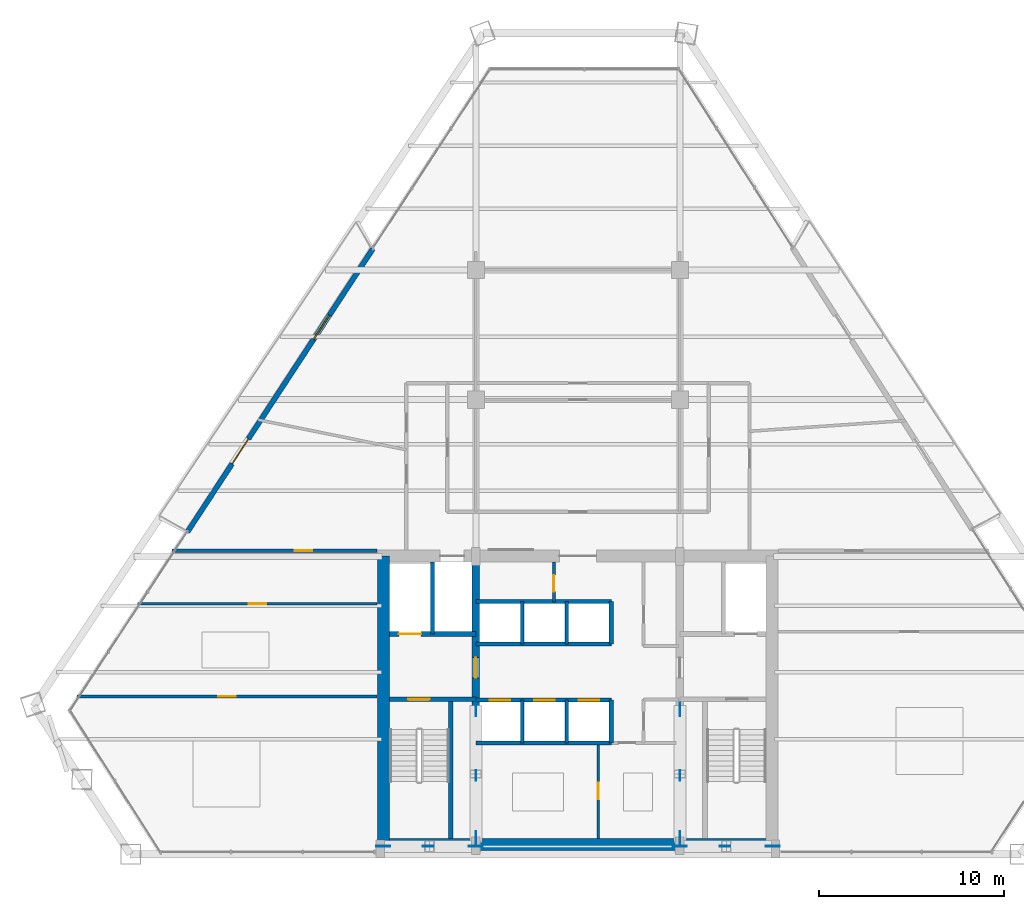
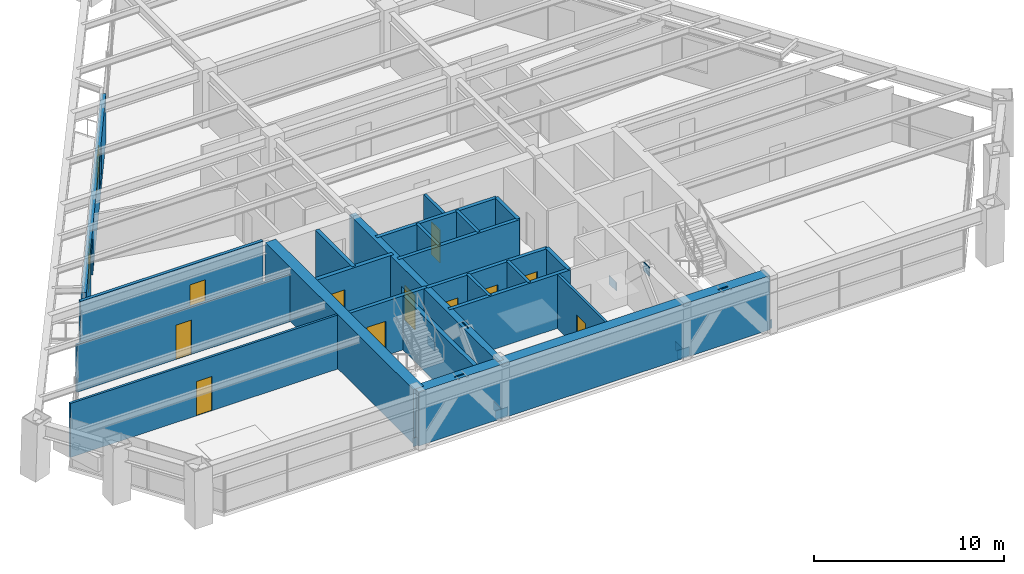
# One storey, part 10 of 14: 23 walls, 12 doors, 12 plates, 1 window, 13 openings.
"""IFC4 building model written with IfcOpenShell, lengths in metres."""

from ifc_helpers import new_model, si_unit, direction, frame, frame_2d, origin, origin_2d, place, context, subcontext, project, spatial, rectangle, extrude, source, transform, mapped, material, layer, layer_set, type_object, type_shapes, element, fill, save


model = new_model("IFC4")

# Units and contexts
model_context = context("Model", 3, precision=1e-05, world=origin(), true_north=direction((0.0, 1.0)))
body_context = subcontext(model_context, "Body", "Model", "MODEL_VIEW")
ifc_project = project(units=[si_unit("LENGTHUNIT", "METRE"), si_unit("AREAUNIT", "SQUARE_METRE"), si_unit("VOLUMEUNIT", "CUBIC_METRE"), si_unit("PLANEANGLEUNIT", "RADIAN"), si_unit("MASSUNIT", "GRAM", prefix="KILO")], contexts=[model_context])

# Site, building, storey
site_placement = place(None, origin())
site = spatial("IfcSite", under=ifc_project, at=site_placement, CompositionType="ELEMENT")
building_placement = place(site_placement, origin())
building = spatial("IfcBuilding", under=site, at=building_placement, Name="Varnakhor Terracotta Tower", CompositionType="ELEMENT")
storey_placement = place(building_placement, frame((0.0, 0.0, 133.0)))
storey = spatial("IfcBuildingStorey", under=building, at=storey_placement, Name="L33", CompositionType="ELEMENT", Elevation=133.0)

# Plates
ifc_material_1 = material(Name="Steel S460", Category="steel")
ifc_layer_1 = layer(ifc_material_1, 0.050048828125, Name="Steel S460")
ifc_layer_set_1 = layer_set([ifc_layer_1], Name="Steel S460")
plate_type = type_object("IfcPlateType", Name="PLT-GUSSET-50", PredefinedType="USERDEFINED", material=ifc_layer_set_1)
shared_shape_1 = source(origin(), body_context, "Body", "SweptSolid", [
    extrude(rectangle(XDim=0.75, YDim=0.0400390625, at=origin_2d()), origin(), (0.0, 0.0, 1.0), 0.550048828125),
])
type_shapes(plate_type, [shared_shape_1])
for number, where, z_axis, x_axis, name in (
    (1, (-10.5, 0.419921875, -0.09521484375), (0.0, 0.0, 1.0), (1.0, 0.0, 0.0), "L33 Core Brace Embed Plate CSWA"),
    (2, (-5.5, 0.419921875, -0.09521484375), (0.0, 0.0, 1.0), (1.0, 0.0, 0.0), "L33 Core Brace Embed Plate CSWB"),
    (3, (5.5, 0.419921875, -0.09521484375), (0.0, 0.0, 1.0), (1.0, 0.0, 0.0), "L33 Core Brace Embed Plate CSEA"),
    (4, (10.5, 0.419921875, -0.09521484375), (0.0, 0.0, 1.0), (1.0, 0.0, 0.0), "L33 Core Brace Embed Plate CSEB"),
    (5, (-5.5, 0.85009765625, -0.09521484375), (0.0, 0.0, 1.0), (0.0, 1.0, 0.0), "L33 Core Brace Embed Plate CWWA"),
    (6, (-5.5, 7.800048828125, -0.09521484375), (0.0, 0.0, 1.0), (0.0, 1.0, 0.0), "L33 Core Brace Embed Plate CWWB"),
    (7, (5.5, 0.85009765625, -0.09521484375), (0.0, 0.0, 1.0), (0.0, 1.0, 0.0), "L33 Core Brace Embed Plate CWEA"),
    (8, (5.5, 7.800048828125, -0.09521484375), (0.0, 0.0, 1.0), (0.0, 1.0, 0.0), "L33 Core Brace Embed Plate CWEB"),
):
    element("IfcPlate", number, at=place(storey_placement, frame(where, z_axis=z_axis, x_axis=x_axis)), inside=storey, type_object=plate_type, Name=name, ObjectType="GUSSET PLATE", PredefinedType="USERDEFINED", context=body_context, shape_type="MappedRepresentation", body=[
        mapped(shared_shape_1, transform((0.0, 0.0, 0.0), scale=1.0)),
    ])
shared_shape_2 = source(origin(), body_context, "Body", "SweptSolid", [
    extrude(rectangle(XDim=0.580078125, YDim=0.0400390625, at=origin_2d()), origin(), (0.0, 0.0, 1.0), 0.580078125),
])
for number, where, z_axis, x_axis, name in (
    (9, (-8.072265625, 0.419921875, 2.93408203125), (0.0, 0.0, 1.0), (1.0, 0.0, 0.0), "L33 Brace End Connection Plate 116"),
    (10, (7.927734375, 0.419921875, 2.93408203125), (0.0, 0.0, 1.0), (1.0, 0.0, 0.0), "L33 Brace End Connection Plate 117"),
    (11, (-5.5, 4.23828125, 2.947021484375), (0.0, 0.0, 1.0), (0.0, 1.0, 0.0), "L33 Brace End Connection Plate 118"),
    (12, (5.5, 4.23828125, 2.947021484375), (0.0, 0.0, 1.0), (0.0, 1.0, 0.0), "L33 Brace End Connection Plate 119"),
):
    element("IfcPlate", number, at=place(storey_placement, frame(where, z_axis=z_axis, x_axis=x_axis)), inside=storey, type_object=plate_type, Name=name, ObjectType="GUSSET PLATE", PredefinedType="USERDEFINED", context=body_context, shape_type="MappedRepresentation", body=[
        mapped(shared_shape_2, transform((0.0, 0.0, 0.0), scale=1.0)),
    ])

# Walls
ifc_material_2 = material(Name="Concrete C50/60", Category="concrete")
ifc_layer_2 = layer(ifc_material_2, 0.64990234375, Name="Concrete C50/60")
ifc_layer_set_2 = layer_set([ifc_layer_2], Name="Concrete C50/60")
wall_type_1 = type_object("IfcWallType", Name="WAL-CORE-650", PredefinedType="SHEAR", material=ifc_layer_set_2)
wall_1_placement = place(storey_placement, frame((-10.64990234375, 0.52490234375, 0.0), z_axis=(0.0, 0.0, 1.0), x_axis=(1.0, 0.0, 0.0)))
element("IfcWall", 13, at=wall_1_placement, inside=storey, type_object=wall_type_1, Name="L33 South Core Shear Wall", PredefinedType="SHEAR", context=body_context, shape_type="SweptSolid", body=[
    extrude(rectangle(XDim=21.2998046875, YDim=0.64990234375, at=frame_2d((10.64990234375, 0.0))), origin(), (0.0, 0.0, 1.0), 3.469970703125),
])
wall_2_placement = place(storey_placement, frame((-10.47509765625, 0.52490234375, 0.0), z_axis=(0.0, 0.0, 1.0), x_axis=(0.0, 1.0, 0.0)))
element("IfcWall", 14, at=wall_2_placement, inside=storey, type_object=wall_type_1, Name="L33 West Core Shear Wall", PredefinedType="SHEAR", context=body_context, shape_type="SweptSolid", body=[
    extrude(rectangle(XDim=15.550048828125, YDim=0.64990234375, at=frame_2d((7.77490234375, 0.0))), origin(), (0.0, 0.0, 1.0), 3.469970703125),
])

# Wall, opening, door
ifc_layer_3 = layer(ifc_material_2, 0.39990234375, Name="Concrete C50/60")
ifc_layer_set_3 = layer_set([ifc_layer_3], Name="Concrete C50/60")
wall_type_2 = type_object("IfcWallType", Name="WAL-CORE-WEB-400", PredefinedType="SHEAR", material=ifc_layer_set_3)
wall_3_placement = place(storey_placement, frame((-5.5, 0.52490234375, 0.0), z_axis=(0.0, 0.0, 1.0), x_axis=(0.0, 1.0, 0.0)))
wall_3 = element("IfcWall", 15, at=wall_3_placement, inside=storey, type_object=wall_type_2, Name="L33 West Core Web Shear Wall", PredefinedType="SHEAR", context=body_context, shape_type="SweptSolid", body=[
    extrude(rectangle(XDim=15.550048828125, YDim=0.39990234375, at=frame_2d((7.77490234375, 0.0))), origin(), (0.0, 0.0, 1.0), 3.469970703125),
])
opening_1_placement = place(wall_3_placement, frame((8.97509765625, 0.0, 0.0)))
opening_1 = element("IfcOpeningElement", 16, at=opening_1_placement, cuts=wall_3, Name="Opening DR-25", PredefinedType="OPENING", context=body_context, shape_type="SweptSolid", body=[
    extrude(rectangle(XDim=1.10009765625, YDim=2.199951171875, at=frame_2d((0.550048828125, 1.10009765625))), frame((0.0, 0.2099609375, 0.0), z_axis=(0.0, -1.0, 0.0), x_axis=(1.0, 0.0, 0.0)), (0.0, 0.0, 1.0), 0.419921875),
])
ifc_material_3 = material(Name="Firefighting Lobby Self-Closing Fire Door", Category="steel")
door_type_1 = type_object("IfcDoorType", Name="DR-FFL-1100X2200", OperationType="NOTDEFINED", PredefinedType="DOOR", material=ifc_material_3)
shared_shape_3 = source(origin(), body_context, "Body", "SweptSolid", [
    extrude(rectangle(XDim=1.10009765625, YDim=2.199951171875, at=frame_2d((0.550048828125, 1.10009765625))), frame((0.0, 0.02490234375, 0.0), z_axis=(0.0, -1.0, 0.0), x_axis=(1.0, 0.0, 0.0)), (0.0, 0.0, 1.0), 0.050048828125),
])
type_shapes(door_type_1, [shared_shape_3])
door_1_placement = place(opening_1_placement, origin())
door_1 = element("IfcDoor", 17, at=door_1_placement, inside=storey, type_object=door_type_1, Name="L33 West Firefighting Lobby Door", OperationType="SINGLE_SWING_LEFT", OverallHeight=2.199951171875, OverallWidth=1.10009765625, PredefinedType="DOOR", context=body_context, shape_type="MappedRepresentation", body=[
    mapped(shared_shape_3, transform((0.0, 0.0, 0.0), scale=1.0)),
])
fill(opening_1, door_1)

ifc_material_4 = material(Name="Fire-Rated Gypsum Stud Partition", Category="gypsum")
ifc_layer_4 = layer(ifc_material_4, 0.18505859375, Name="Fire-Rated Gypsum Stud Partition")
ifc_layer_set_4 = layer_set([ifc_layer_4], Name="Fire-Rated Gypsum Stud Partition")
wall_type_3 = type_object("IfcWallType", Name="WAL-CORR-185", PredefinedType="PARTITIONING", material=ifc_layer_set_4)
wall_4_placement = place(storey_placement, frame((-21.876708984375, 16.35009765625, 0.0), z_axis=(0.0, 0.0, 1.0), x_axis=(1.0, 0.0, 0.0)))
wall_4 = element("IfcWall", 18, at=wall_4_placement, inside=storey, type_object=wall_type_3, Name="L33 South West Entry Wall", PredefinedType="PARTITIONING", context=body_context, shape_type="SweptSolid", body=[
    extrude(rectangle(XDim=11.056640625, YDim=0.18505859375, at=frame_2d((5.5283203125, 0.0))), origin(), (0.0, 0.0, 1.0), 3.4619140625),
])
opening_2_placement = place(wall_4_placement, frame((6.60986328125, 0.0, 0.0)))
opening_2 = element("IfcOpeningElement", 19, at=opening_2_placement, cuts=wall_4, Name="Opening DR-94", PredefinedType="OPENING", context=body_context, shape_type="SweptSolid", body=[
    extrude(rectangle(XDim=0.949951171875, YDim=2.199951171875, at=frame_2d((0.47509765625, 1.10009765625))), frame((0.0, 0.1025390625, 0.0), z_axis=(0.0, -1.0, 0.0), x_axis=(1.0, 0.0, 0.0)), (0.0, 0.0, 1.0), 0.205078125),
])
ifc_material_5 = material(Name="Acoustic Glazed-Vision Timber Office Door", Category="wood")
door_type_2 = type_object("IfcDoorType", Name="DR-OFF-950X2200", OperationType="NOTDEFINED", PredefinedType="DOOR", material=ifc_material_5)
shared_shape_4 = source(origin(), body_context, "Body", "SweptSolid", [
    extrude(rectangle(XDim=0.949951171875, YDim=2.199951171875, at=frame_2d((0.47509765625, 1.10009765625))), frame((0.0, 0.02490234375, 0.0), z_axis=(0.0, -1.0, 0.0), x_axis=(1.0, 0.0, 0.0)), (0.0, 0.0, 1.0), 0.050048828125),
])
type_shapes(door_type_2, [shared_shape_4])
door_2_placement = place(opening_2_placement, origin())
door_2 = element("IfcDoor", 20, at=door_2_placement, inside=storey, type_object=door_type_2, Name="L33 SW Suite Door", OperationType="SINGLE_SWING_RIGHT", OverallHeight=2.199951171875, OverallWidth=0.949951171875, PredefinedType="DOOR", context=body_context, shape_type="MappedRepresentation", body=[
    mapped(shared_shape_4, transform((0.0, 0.0, 0.0), scale=1.0)),
])
fill(opening_2, door_2)

# Wall, openings, door, window
ifc_material_6 = material(Name="Extruded Architectural Terracotta Assembly", Category="masonry")
ifc_layer_5 = layer(ifc_material_6, 0.280029296875, Name="Extruded Architectural Terracotta Assembly")
ifc_layer_set_5 = layer_set([ifc_layer_5], Name="Extruded Architectural Terracotta Assembly")
wall_type_4 = type_object("IfcWallType", Name="WAL-EXT-TERRACOTTA-280", PredefinedType="SOLIDWALL", material=ifc_layer_set_5)
wall_5_placement = place(storey_placement, frame((-21.042724609375, 17.385986328125, 0.0), z_axis=(0.0, 0.0, 1.0), x_axis=(0.547958773701, 0.836505339089, 0.0)))
wall_5 = element("IfcWall", 21, at=wall_5_placement, inside=storey, type_object=wall_type_4, Name="L33 W Loggia Insulated Terracotta Wall", PredefinedType="SOLIDWALL", context=body_context, shape_type="SweptSolid", body=[
    extrude(rectangle(XDim=18.242919921875, YDim=0.280029296875, at=frame_2d((9.12158203125, 0.0))), origin(), (0.0, 0.0, 1.0), 3.050048828125),
])
opening_3_placement = place(wall_5_placement, frame((4.37841796875, 0.0, 0.0)))
opening_3 = element("IfcOpeningElement", 22, at=opening_3_placement, cuts=wall_5, Name="Opening DR-62", PredefinedType="OPENING", context=body_context, shape_type="SweptSolid", body=[
    extrude(rectangle(XDim=1.60009765625, YDim=2.35009765625, at=frame_2d((0.800048828125, 1.175048828125))), frame((0.0, 0.14990234375, 0.0), z_axis=(0.0, -1.0, 0.0), x_axis=(1.0, 0.0, 0.0)), (0.0, 0.0, 1.0), 0.300048828125),
])
opening_4_placement = place(wall_5_placement, frame((12.4052734375, 0.0, 0.89990234375)))
opening_4 = element("IfcOpeningElement", 23, at=opening_4_placement, cuts=wall_5, Name="Opening WN-57", PredefinedType="OPENING", context=body_context, shape_type="SweptSolid", body=[
    extrude(rectangle(XDim=1.550048828125, YDim=1.85009765625, at=frame_2d((0.77490234375, 0.925048828125))), frame((0.0, 0.14990234375, 0.0), z_axis=(0.0, -1.0, 0.0), x_axis=(1.0, 0.0, 0.0)), (0.0, 0.0, 1.0), 0.300048828125),
])
ifc_material_7 = material(Name="Thermally Broken Sliding Glass Loggia Door", Category="glass")
door_type_3 = type_object("IfcDoorType", Name="DR-EXT-LOGGIA-1600X2350", OperationType="NOTDEFINED", PredefinedType="DOOR", material=ifc_material_7)
shared_shape_5 = source(origin(), body_context, "Body", "SweptSolid", [
    extrude(rectangle(XDim=1.60009765625, YDim=2.35009765625, at=frame_2d((0.800048828125, 1.175048828125))), frame((0.0, 0.02490234375, 0.0), z_axis=(0.0, -1.0, 0.0), x_axis=(1.0, 0.0, 0.0)), (0.0, 0.0, 1.0), 0.050048828125),
])
type_shapes(door_type_3, [shared_shape_5])
door_3_placement = place(opening_3_placement, origin())
door_3 = element("IfcDoor", 24, at=door_3_placement, inside=storey, type_object=door_type_3, Name="L33 W Recessed Loggia Sliding Door", OperationType="SLIDING_TO_LEFT", OverallHeight=2.35009765625, OverallWidth=1.60009765625, PredefinedType="DOOR", context=body_context, shape_type="MappedRepresentation", body=[
    mapped(shared_shape_5, transform((0.0, 0.0, 0.0), scale=1.0)),
])
fill(opening_3, door_3)
ifc_material_8 = material(Name="Solar-Control Low-E Insulated Glass Unit", Category="glass")
window_type = type_object("IfcWindowType", Name="WIN-OFF-1650X2100", PartitioningType="SINGLE_PANEL", PredefinedType="WINDOW", material=ifc_material_8)
shared_shape_6 = source(origin(), body_context, "Body", "SweptSolid", [
    extrude(rectangle(XDim=1.550048828125, YDim=1.85009765625, at=frame_2d((0.77490234375, 0.925048828125))), frame((0.0, 0.030029296875, 0.0), z_axis=(0.0, -1.0, 0.0), x_axis=(1.0, 0.0, 0.0)), (0.0, 0.0, 1.0), 0.06005859375),
])
type_shapes(window_type, [shared_shape_6])
window_placement = place(opening_4_placement, origin())
window = element("IfcWindow", 25, at=window_placement, inside=storey, type_object=window_type, Name="L33 W Facet Punched Window", OverallHeight=1.85009765625, OverallWidth=1.550048828125, PartitioningType="SINGLE_PANEL", PredefinedType="WINDOW", context=body_context, shape_type="MappedRepresentation", body=[
    mapped(shared_shape_6, transform((0.0, 0.0, 0.0), scale=1.0)),
])
fill(opening_4, window)

# Wall, opening, door
ifc_material_9 = material(Name="Concrete C40/50", Category="concrete")
ifc_layer_6 = layer(ifc_material_9, 0.219970703125, Name="Concrete C40/50")
ifc_layer_set_6 = layer_set([ifc_layer_6], Name="Concrete C40/50")
wall_type_5 = type_object("IfcWallType", Name="WAL-FFLOBBY-220", PredefinedType="SOLIDWALL", material=ifc_layer_set_6)
wall_6_placement = place(storey_placement, frame((-5.5, 8.35009765625, 0.0), z_axis=(0.0, 0.0, 1.0), x_axis=(-1.0, 0.0, 0.0)))
wall_6 = element("IfcWall", 26, at=wall_6_placement, inside=storey, type_object=wall_type_5, Name="L33 West Firefighting Lobby Stair Wall", PredefinedType="SOLIDWALL", context=body_context, shape_type="SweptSolid", body=[
    extrude(rectangle(XDim=4.64990234375, YDim=0.219970703125, at=frame_2d((2.324951171875, 0.0))), origin(), (0.0, 0.0, 1.0), 3.469970703125),
])
opening_5_placement = place(wall_6_placement, frame((2.5, 0.0, 0.0)))
opening_5 = element("IfcOpeningElement", 27, at=opening_5_placement, cuts=wall_6, Name="Opening DR-34", PredefinedType="OPENING", context=body_context, shape_type="SweptSolid", body=[
    extrude(rectangle(XDim=1.14990234375, YDim=2.199951171875, at=frame_2d((0.574951171875, 1.10009765625))), frame((0.0, 0.1201171875, 0.0), z_axis=(0.0, -1.0, 0.0), x_axis=(1.0, 0.0, 0.0)), (0.0, 0.0, 1.0), 0.239990234375),
])
ifc_material_10 = material(Name="Self-Closing Smoke-Sealed Steel Fire Door", Category="steel")
door_type_4 = type_object("IfcDoorType", Name="DR-STAIR-1150X2200", OperationType="NOTDEFINED", PredefinedType="DOOR", material=ifc_material_10)
shared_shape_7 = source(origin(), body_context, "Body", "SweptSolid", [
    extrude(rectangle(XDim=1.14990234375, YDim=2.199951171875, at=frame_2d((0.574951171875, 1.10009765625))), frame((0.0, 0.02490234375, 0.0), z_axis=(0.0, -1.0, 0.0), x_axis=(1.0, 0.0, 0.0)), (0.0, 0.0, 1.0), 0.050048828125),
])
type_shapes(door_type_4, [shared_shape_7])
door_4_placement = place(opening_5_placement, origin())
door_4 = element("IfcDoor", 28, at=door_4_placement, inside=storey, type_object=door_type_4, Name="L33 Exit Stair ST-1 Fire Door", OperationType="SINGLE_SWING_RIGHT", OverallHeight=2.199951171875, OverallWidth=1.14990234375, PredefinedType="DOOR", context=body_context, shape_type="MappedRepresentation", body=[
    mapped(shared_shape_7, transform((0.0, 0.0, 0.0), scale=1.0)),
])
fill(opening_5, door_4)

ifc_material_11 = material(Name="Acoustic Metal-Stud Partition", Category="gypsum")
ifc_layer_7 = layer(ifc_material_11, 0.139892578125, Name="Acoustic Metal-Stud Partition")
ifc_layer_set_7 = layer_set([ifc_layer_7], Name="Acoustic Metal-Stud Partition")
wall_type_6 = type_object("IfcWallType", Name="WAL-PART-140", PredefinedType="PARTITIONING", material=ifc_layer_set_7)
wall_7_placement = place(storey_placement, frame((-27.01904296875, 8.5, 0.0), z_axis=(0.0, 0.0, 1.0), x_axis=(1.0, 0.0, 0.0)))
wall_7 = element("IfcWall", 29, at=wall_7_placement, inside=storey, type_object=wall_type_6, Name="L33 West Wing Cut 1", PredefinedType="PARTITIONING", context=body_context, shape_type="SweptSolid", body=[
    extrude(rectangle(XDim=16.198974609375, YDim=0.139892578125, at=frame_2d((8.099609375, 0.0))), origin(), (0.0, 0.0, 1.0), 3.4619140625),
])
opening_6_placement = place(wall_7_placement, frame((7.634521484375, 0.0, 0.0)))
opening_6 = element("IfcOpeningElement", 30, at=opening_6_placement, cuts=wall_7, Name="Opening DR-94", PredefinedType="OPENING", context=body_context, shape_type="SweptSolid", body=[
    extrude(rectangle(XDim=0.949951171875, YDim=2.199951171875, at=frame_2d((0.47509765625, 1.10009765625))), frame((0.0, 0.080078125, 0.0), z_axis=(0.0, -1.0, 0.0), x_axis=(1.0, 0.0, 0.0)), (0.0, 0.0, 1.0), 0.159912109375),
])
door_5_placement = place(opening_6_placement, origin())
door_5 = element("IfcDoor", 31, at=door_5_placement, inside=storey, type_object=door_type_2, Name="L33 Admin Office 5 Door", OperationType="SINGLE_SWING_RIGHT", OverallHeight=2.199951171875, OverallWidth=0.949951171875, PredefinedType="DOOR", context=body_context, shape_type="MappedRepresentation", body=[
    mapped(shared_shape_4, transform((0.0, 0.0, 0.0), scale=1.0)),
])
fill(opening_6, door_5)

wall_8_placement = place(storey_placement, frame((-23.74365234375, 13.5, 0.0), z_axis=(0.0, 0.0, 1.0), x_axis=(1.0, 0.0, 0.0)))
wall_8 = element("IfcWall", 32, at=wall_8_placement, inside=storey, type_object=wall_type_6, Name="L33 West Wing Cut 2", PredefinedType="PARTITIONING", context=body_context, shape_type="SweptSolid", body=[
    extrude(rectangle(XDim=12.923583984375, YDim=0.139892578125, at=frame_2d((6.4619140625, 0.0))), origin(), (0.0, 0.0, 1.0), 3.049072265625),
])
opening_7_placement = place(wall_8_placement, frame((5.99658203125, 0.0, 0.0)))
opening_7 = element("IfcOpeningElement", 33, at=opening_7_placement, cuts=wall_8, Name="Opening DR-94", PredefinedType="OPENING", context=body_context, shape_type="SweptSolid", body=[
    extrude(rectangle(XDim=0.949951171875, YDim=2.199951171875, at=frame_2d((0.47509765625, 1.10009765625))), frame((0.0, 0.080078125, 0.0), z_axis=(0.0, -1.0, 0.0), x_axis=(1.0, 0.0, 0.0)), (0.0, 0.0, 1.0), 0.159912109375),
])
door_6_placement = place(opening_7_placement, origin())
door_6 = element("IfcDoor", 34, at=door_6_placement, inside=storey, type_object=door_type_2, Name="L33 Corporate Office E2 B3 Door", OperationType="SINGLE_SWING_LEFT", OverallHeight=2.199951171875, OverallWidth=0.949951171875, PredefinedType="DOOR", context=body_context, shape_type="MappedRepresentation", body=[
    mapped(shared_shape_4, transform((0.0, 0.0, 0.0), scale=1.0)),
])
fill(opening_7, door_6)

# Walls
ifc_layer_8 = layer(ifc_material_9, 0.179931640625, Name="Concrete C40/50")
ifc_layer_set_8 = layer_set([ifc_layer_8], Name="Concrete C40/50")
wall_type_7 = type_object("IfcWallType", Name="WAL-SHAFT-180", PredefinedType="SOLIDWALL", material=ifc_layer_set_8)
for number, where, z_axis, x_axis, name in (
    (35, (-3.0, 6.0, 0.0), (0.0, 0.0, 1.0), (0.0, 1.0, 0.0), "L33 PL-2A Divider"),
    (36, (-0.60009765625, 6.0, 0.0), (0.0, 0.0, 1.0), (0.0, 1.0, 0.0), "L33 PL-2B Divider"),
    (37, (-3.0, 11.320068359375, 0.0), (0.0, 0.0, 1.0), (0.0, 1.0, 0.0), "L33 PL-3A Divider"),
    (38, (-0.60009765625, 11.320068359375, 0.0), (0.0, 0.0, 1.0), (0.0, 1.0, 0.0), "L33 PL-3B Divider"),
):
    element("IfcWall", number, at=place(storey_placement, frame(where, z_axis=z_axis, x_axis=x_axis)), inside=storey, type_object=wall_type_7, Name=name, PredefinedType="SOLIDWALL", context=body_context, shape_type="SweptSolid", body=[
        extrude(rectangle(XDim=2.300048828125, YDim=0.179931640625, at=frame_2d((1.14990234375, 0.0))), origin(), (0.0, 0.0, 1.0), 3.469970703125),
    ])
ifc_layer_9 = layer(ifc_material_9, 0.219970703125, Name="Concrete C40/50")
ifc_layer_set_9 = layer_set([ifc_layer_9], Name="Concrete C40/50")
wall_type_8 = type_object("IfcWallType", Name="WAL-SHAFT-220", PredefinedType="SOLIDWALL", material=ifc_layer_set_9)
wall_9_placement = place(storey_placement, frame((-7.840087890625, 11.8701171875, 0.0), z_axis=(0.0, 0.0, 1.0), x_axis=(0.0, 1.0, 0.0)))
element("IfcWall", 39, at=wall_9_placement, inside=storey, type_object=wall_type_8, Name="L33 Lift FFL-1 and SVL-1 Divider Wall", PredefinedType="SOLIDWALL", context=body_context, shape_type="SweptSolid", body=[
    extrude(rectangle(XDim=3.8798828125, YDim=0.219970703125, at=frame_2d((1.93994140625, 0.0))), origin(), (0.0, 0.0, 1.0), 3.469970703125),
])
wall_10_placement = place(storey_placement, frame((-5.5, 6.0, 0.0), z_axis=(0.0, 0.0, 1.0), x_axis=(1.0, 0.0, 0.0)))
element("IfcWall", 40, at=wall_10_placement, inside=storey, type_object=wall_type_8, Name="L33 Bank 2 South Shaft Wall", PredefinedType="SOLIDWALL", context=body_context, shape_type="SweptSolid", body=[
    extrude(rectangle(XDim=7.320068359375, YDim=0.219970703125, at=frame_2d((3.66015625, 0.0))), origin(), (0.0, 0.0, 1.0), 3.469970703125),
])

# Wall, openings, doors
wall_11_placement = place(storey_placement, frame((-5.5, 8.300048828125, 0.0), z_axis=(0.0, 0.0, 1.0), x_axis=(1.0, 0.0, 0.0)))
wall_11 = element("IfcWall", 41, at=wall_11_placement, inside=storey, type_object=wall_type_8, Name="L33 Bank 2 North Shaft Wall", PredefinedType="SOLIDWALL", context=body_context, shape_type="SweptSolid", body=[
    extrude(rectangle(XDim=7.320068359375, YDim=0.219970703125, at=frame_2d((3.66015625, 0.0))), origin(), (0.0, 0.0, 1.0), 3.469970703125),
])
opening_8_placement = place(wall_11_placement, frame((0.75, 0.0, 0.0)))
opening_8 = element("IfcOpeningElement", 42, at=opening_8_placement, cuts=wall_11, Name="Opening LD-01", PredefinedType="OPENING", context=body_context, shape_type="SweptSolid", body=[
    extrude(rectangle(XDim=1.10009765625, YDim=2.199951171875, at=frame_2d((0.550048828125, 1.10009765625))), frame((0.0, 0.1201171875, 0.0), z_axis=(0.0, -1.0, 0.0), x_axis=(1.0, 0.0, 0.0)), (0.0, 0.0, 1.0), 0.239990234375),
])
opening_9_placement = place(wall_11_placement, frame((3.14990234375, 0.0, 0.0)))
opening_9 = element("IfcOpeningElement", 43, at=opening_9_placement, cuts=wall_11, Name="Opening LD-01", PredefinedType="OPENING", context=body_context, shape_type="SweptSolid", body=[
    extrude(rectangle(XDim=1.10009765625, YDim=2.199951171875, at=frame_2d((0.550048828125, 1.10009765625))), frame((0.0, 0.1201171875, 0.0), z_axis=(0.0, -1.0, 0.0), x_axis=(1.0, 0.0, 0.0)), (0.0, 0.0, 1.0), 0.239990234375),
])
opening_10_placement = place(wall_11_placement, frame((5.550048828125, 0.0, 0.0)))
opening_10 = element("IfcOpeningElement", 44, at=opening_10_placement, cuts=wall_11, Name="Opening LD-01", PredefinedType="OPENING", context=body_context, shape_type="SweptSolid", body=[
    extrude(rectangle(XDim=1.10009765625, YDim=2.199951171875, at=frame_2d((0.550048828125, 1.10009765625))), frame((0.0, 0.1201171875, 0.0), z_axis=(0.0, -1.0, 0.0), x_axis=(1.0, 0.0, 0.0)), (0.0, 0.0, 1.0), 0.239990234375),
])
ifc_material_12 = material(Name="Brushed Stainless Steel Sliding Lift Landing Door", Category="steel")
door_type_5 = type_object("IfcDoorType", Name="LD-PASS-1100X2200", OperationType="NOTDEFINED", PredefinedType="DOOR", material=ifc_material_12)
shared_shape_8 = source(origin(), body_context, "Body", "SweptSolid", [
    extrude(rectangle(XDim=1.10009765625, YDim=2.199951171875, at=frame_2d((0.550048828125, 1.10009765625))), frame((0.0, 0.02490234375, 0.0), z_axis=(0.0, -1.0, 0.0), x_axis=(1.0, 0.0, 0.0)), (0.0, 0.0, 1.0), 0.050048828125),
])
type_shapes(door_type_5, [shared_shape_8])
door_7_placement = place(opening_8_placement, origin())
door_7 = element("IfcDoor", 45, at=door_7_placement, inside=storey, type_object=door_type_5, Name="L33 Passenger Lift PL-2A Landing Door", OperationType="SLIDING_TO_LEFT", OverallHeight=2.199951171875, OverallWidth=1.10009765625, PredefinedType="DOOR", context=body_context, shape_type="MappedRepresentation", body=[
    mapped(shared_shape_8, transform((0.0, 0.0, 0.0), scale=1.0)),
])
fill(opening_8, door_7)
door_8_placement = place(opening_9_placement, origin())
door_8 = element("IfcDoor", 46, at=door_8_placement, inside=storey, type_object=door_type_5, Name="L33 Passenger Lift PL-2B Landing Door", OperationType="SLIDING_TO_LEFT", OverallHeight=2.199951171875, OverallWidth=1.10009765625, PredefinedType="DOOR", context=body_context, shape_type="MappedRepresentation", body=[
    mapped(shared_shape_8, transform((0.0, 0.0, 0.0), scale=1.0)),
])
fill(opening_9, door_8)
door_9_placement = place(opening_10_placement, origin())
door_9 = element("IfcDoor", 47, at=door_9_placement, inside=storey, type_object=door_type_5, Name="L33 Passenger Lift PL-2C Landing Door", OperationType="SLIDING_TO_LEFT", OverallHeight=2.199951171875, OverallWidth=1.10009765625, PredefinedType="DOOR", context=body_context, shape_type="MappedRepresentation", body=[
    mapped(shared_shape_8, transform((0.0, 0.0, 0.0), scale=1.0)),
])
fill(opening_10, door_9)

# Walls
wall_12_placement = place(storey_placement, frame((1.800048828125, 6.0, 0.0), z_axis=(0.0, 0.0, 1.0), x_axis=(0.0, 1.0, 0.0)))
element("IfcWall", 48, at=wall_12_placement, inside=storey, type_object=wall_type_8, Name="L33 Bank 2 East Shaft Wall", PredefinedType="SOLIDWALL", context=body_context, shape_type="SweptSolid", body=[
    extrude(rectangle(XDim=2.300048828125, YDim=0.219970703125, at=frame_2d((1.14990234375, 0.0))), origin(), (0.0, 0.0, 1.0), 3.469970703125),
])
for number, where, z_axis, x_axis, name in (
    (49, (-5.5, 11.320068359375, 0.0), (0.0, 0.0, 1.0), (1.0, 0.0, 0.0), "L33 Bank 3 South Shaft Wall"),
    (50, (-5.5, 13.6201171875, 0.0), (0.0, 0.0, 1.0), (1.0, 0.0, 0.0), "L33 Bank 3 North Shaft Wall"),
):
    element("IfcWall", number, at=place(storey_placement, frame(where, z_axis=z_axis, x_axis=x_axis)), inside=storey, type_object=wall_type_8, Name=name, PredefinedType="SOLIDWALL", context=body_context, shape_type="SweptSolid", body=[
        extrude(rectangle(XDim=7.320068359375, YDim=0.219970703125, at=frame_2d((3.66015625, 0.0))), origin(), (0.0, 0.0, 1.0), 3.469970703125),
    ])
wall_13_placement = place(storey_placement, frame((1.800048828125, 11.320068359375, 0.0), z_axis=(0.0, 0.0, 1.0), x_axis=(0.0, 1.0, 0.0)))
element("IfcWall", 51, at=wall_13_placement, inside=storey, type_object=wall_type_8, Name="L33 Bank 3 East Shaft Wall", PredefinedType="SOLIDWALL", context=body_context, shape_type="SweptSolid", body=[
    extrude(rectangle(XDim=2.300048828125, YDim=0.219970703125, at=frame_2d((1.14990234375, 0.0))), origin(), (0.0, 0.0, 1.0), 3.469970703125),
])
ifc_layer_10 = layer(ifc_material_9, 0.25, Name="Concrete C40/50")
ifc_layer_set_10 = layer_set([ifc_layer_10], Name="Concrete C40/50")
wall_type_9 = type_object("IfcWallType", Name="WAL-SHAFT-250", PredefinedType="SOLIDWALL", material=ifc_layer_set_10)
wall_14_placement = place(storey_placement, frame((-6.85009765625, 0.85009765625, 0.0), z_axis=(0.0, 0.0, 1.0), x_axis=(0.0, 1.0, 0.0)))
element("IfcWall", 52, at=wall_14_placement, inside=storey, type_object=wall_type_9, Name="L33 Stair ST-1 Bearing Shaft Wall", PredefinedType="SOLIDWALL", context=body_context, shape_type="SweptSolid", body=[
    extrude(rectangle(XDim=7.5, YDim=0.25, at=frame_2d((3.75, 0.0))), origin(), (0.0, 0.0, 1.0), 3.469970703125),
])

# Wall, opening, door
wall_15_placement = place(storey_placement, frame((-5.5, 11.8701171875, 0.0), z_axis=(0.0, 0.0, 1.0), x_axis=(-1.0, 0.0, 0.0)))
wall_15 = element("IfcWall", 53, at=wall_15_placement, inside=storey, type_object=wall_type_9, Name="L33 Lift FFL-1 Shaft Front Wall", PredefinedType="SOLIDWALL", context=body_context, shape_type="SweptSolid", body=[
    extrude(rectangle(XDim=4.64990234375, YDim=0.25, at=frame_2d((2.324951171875, 0.0))), origin(), (0.0, 0.0, 1.0), 3.469970703125),
])
opening_11_placement = place(wall_15_placement, frame((2.949951171875, 0.0, 0.0)))
opening_11 = element("IfcOpeningElement", 54, at=opening_11_placement, cuts=wall_15, Name="Opening LD-02", PredefinedType="OPENING", context=body_context, shape_type="SweptSolid", body=[
    extrude(rectangle(XDim=1.199951171875, YDim=2.25, at=frame_2d((0.60009765625, 1.125))), frame((0.0, 0.135009765625, 0.0), z_axis=(0.0, -1.0, 0.0), x_axis=(1.0, 0.0, 0.0)), (0.0, 0.0, 1.0), 0.27001953125),
])
ifc_material_13 = material(Name="Firefighting Stretcher Sliding Lift Landing Door", Category="steel")
door_type_6 = type_object("IfcDoorType", Name="LD-FFL-1200X2250", OperationType="NOTDEFINED", PredefinedType="DOOR", material=ifc_material_13)
shared_shape_9 = source(origin(), body_context, "Body", "SweptSolid", [
    extrude(rectangle(XDim=1.199951171875, YDim=2.25, at=frame_2d((0.60009765625, 1.125))), frame((0.0, 0.02490234375, 0.0), z_axis=(0.0, -1.0, 0.0), x_axis=(1.0, 0.0, 0.0)), (0.0, 0.0, 1.0), 0.050048828125),
])
type_shapes(door_type_6, [shared_shape_9])
door_10_placement = place(opening_11_placement, origin())
door_10 = element("IfcDoor", 55, at=door_10_placement, inside=storey, type_object=door_type_6, Name="L33 Firefighting Lift FFL-1 Landing Door", OperationType="SLIDING_TO_LEFT", OverallHeight=2.25, OverallWidth=1.199951171875, PredefinedType="DOOR", context=body_context, shape_type="MappedRepresentation", body=[
    mapped(shared_shape_9, transform((0.0, 0.0, 0.0), scale=1.0)),
])
fill(opening_11, door_10)

ifc_material_14 = material(Name="Acoustic Fire-Rated Partition", Category="gypsum")
ifc_layer_11 = layer(ifc_material_14, 0.139892578125, Name="Acoustic Fire-Rated Partition")
ifc_layer_set_11 = layer_set([ifc_layer_11], Name="Acoustic Fire-Rated Partition")
wall_type_10 = type_object("IfcWallType", Name="WAL-TENANCY-140", PredefinedType="PARTITIONING", material=ifc_layer_set_11)
wall_16_placement = place(storey_placement, frame((1.10009765625, 0.85009765625, 0.0), z_axis=(0.0, 0.0, 1.0), x_axis=(0.0, 1.0, 0.0)))
wall_16 = element("IfcWall", 56, at=wall_16_placement, inside=storey, type_object=wall_type_10, Name="L33 Reclaimed Core Bay Split Wall", PredefinedType="PARTITIONING", context=body_context, shape_type="SweptSolid", body=[
    extrude(rectangle(XDim=5.02978515625, YDim=0.139892578125, at=frame_2d((2.514892578125, 0.0))), origin(), (0.0, 0.0, 1.0), 3.4619140625),
])
opening_12_placement = place(wall_16_placement, frame((2.10009765625, 0.0, 0.0)))
opening_12 = element("IfcOpeningElement", 57, at=opening_12_placement, cuts=wall_16, Name="Opening DR-67", PredefinedType="OPENING", context=body_context, shape_type="SweptSolid", body=[
    extrude(rectangle(XDim=0.89990234375, YDim=2.10009765625, at=frame_2d((0.449951171875, 1.050048828125))), frame((0.0, 0.080078125, 0.0), z_axis=(0.0, -1.0, 0.0), x_axis=(1.0, 0.0, 0.0)), (0.0, 0.0, 1.0), 0.159912109375),
])
ifc_material_15 = material(Name="Steel Service Riser Fire Door", Category="steel")
door_type_7 = type_object("IfcDoorType", Name="DR-RISER-900X2100", OperationType="NOTDEFINED", PredefinedType="DOOR", material=ifc_material_15)
shared_shape_10 = source(origin(), body_context, "Body", "SweptSolid", [
    extrude(rectangle(XDim=0.89990234375, YDim=2.10009765625, at=frame_2d((0.449951171875, 1.050048828125))), frame((0.0, 0.02490234375, 0.0), z_axis=(0.0, -1.0, 0.0), x_axis=(1.0, 0.0, 0.0)), (0.0, 0.0, 1.0), 0.050048828125),
])
type_shapes(door_type_7, [shared_shape_10])
door_11_placement = place(opening_12_placement, origin())
door_11 = element("IfcDoor", 58, at=door_11_placement, inside=storey, type_object=door_type_7, Name="L33 Core Inner Service Door", OperationType="SINGLE_SWING_LEFT", OverallHeight=2.10009765625, OverallWidth=0.89990234375, PredefinedType="DOOR", context=body_context, shape_type="MappedRepresentation", body=[
    mapped(shared_shape_10, transform((0.0, 0.0, 0.0), scale=1.0)),
])
fill(opening_12, door_11)

ifc_layer_12 = layer(ifc_material_14, 0.1650390625, Name="Acoustic Fire-Rated Partition")
ifc_layer_set_12 = layer_set([ifc_layer_12], Name="Acoustic Fire-Rated Partition")
wall_type_11 = type_object("IfcWallType", Name="WAL-TENANCY-165", PredefinedType="PARTITIONING", material=ifc_layer_set_12)
wall_17_placement = place(storey_placement, frame((-1.300048828125, 13.60009765625, 0.0), z_axis=(0.0, 0.0, 1.0), x_axis=(0.0, 1.0, 0.0)))
wall_17 = element("IfcWall", 59, at=wall_17_placement, inside=storey, type_object=wall_type_11, Name="L33 Male Restroom Wall", PredefinedType="PARTITIONING", context=body_context, shape_type="SweptSolid", body=[
    extrude(rectangle(XDim=2.14990234375, YDim=0.1650390625, at=frame_2d((1.074951171875, 0.0))), origin(), (0.0, 0.0, 1.0), 3.4619140625),
])
opening_13_placement = place(wall_17_placement, frame((0.550048828125, 0.0, 0.0)))
opening_13 = element("IfcOpeningElement", 60, at=opening_13_placement, cuts=wall_17, Name="Opening DR-67", PredefinedType="OPENING", context=body_context, shape_type="SweptSolid", body=[
    extrude(rectangle(XDim=0.89990234375, YDim=2.10009765625, at=frame_2d((0.449951171875, 1.050048828125))), frame((0.0, 0.092529296875, 0.0), z_axis=(0.0, -1.0, 0.0), x_axis=(1.0, 0.0, 0.0)), (0.0, 0.0, 1.0), 0.18505859375),
])
door_12_placement = place(opening_13_placement, origin())
door_12 = element("IfcDoor", 61, at=door_12_placement, inside=storey, type_object=door_type_7, Name="L33 Male WC Door", OperationType="SINGLE_SWING_LEFT", OverallHeight=2.10009765625, OverallWidth=0.89990234375, PredefinedType="DOOR", context=body_context, shape_type="MappedRepresentation", body=[
    mapped(shared_shape_10, transform((0.0, 0.0, 0.0), scale=1.0)),
])
fill(opening_13, door_12)

save(model, "model.ifc")
